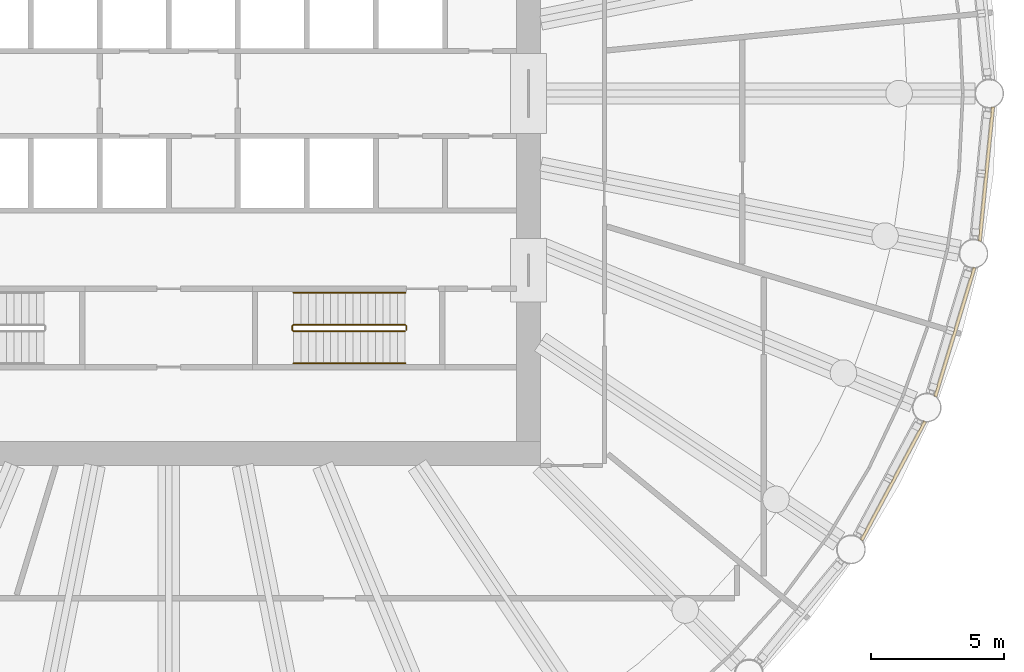
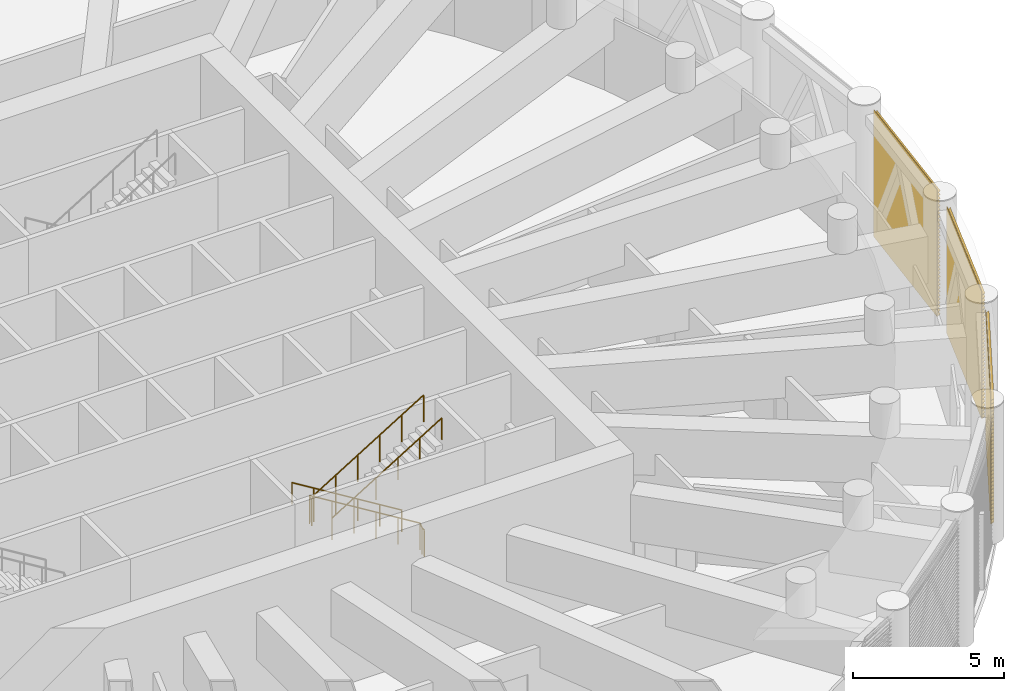
# One storey, part 19 of 23: 3 railings, 3 shading devices, 3 elements without a shape of their own.
"""IFC4 building model written with IfcOpenShell, lengths in metres."""

from ifc_helpers import new_model, si_unit, direction, frame, origin, origin_2d, place, context, subcontext, project, spatial, polyline, circle, outline, extrude, material, material_profile, profile_set, type_object, element, aggregate, save


model = new_model("IFC4")

# Units and contexts
model_context = context("Model", 3, precision=1e-05, world=origin(), true_north=direction((0.0, 1.0)))
body_context = subcontext(model_context, "Body", "Model", "MODEL_VIEW")
ifc_project = project(units=[si_unit("LENGTHUNIT", "METRE"), si_unit("AREAUNIT", "SQUARE_METRE"), si_unit("VOLUMEUNIT", "CUBIC_METRE"), si_unit("PLANEANGLEUNIT", "RADIAN"), si_unit("MASSUNIT", "GRAM", prefix="KILO")], contexts=[model_context])

# Site, building, storey
site_placement = place(None, origin())
site = spatial("IfcSite", under=ifc_project, at=site_placement, CompositionType="ELEMENT")
building_placement = place(site_placement, origin())
building = spatial("IfcBuilding", under=site, at=building_placement, Name="Corvane Civic Tower", CompositionType="ELEMENT")
storey_placement = place(building_placement, frame((0.0, 0.0, 196.0)))
storey = spatial("IfcBuildingStorey", under=building, at=storey_placement, Name="L46", CompositionType="ELEMENT", Elevation=196.0)

# Railings
ifc_material_1 = material(Name="Steel ASTM A572 Gr 50", Category="steel")
railing_type_1 = type_object("IfcRailingType", Name="ST-GUARD-1100", PredefinedType="GUARDRAIL", material=ifc_material_1)
railing_1_placement = place(storey_placement, frame((8.949951171875, -8.89990234375, 0.0)))
element("IfcRailing", 1, at=railing_1_placement, inside=storey, type_object=railing_type_1, Name="L46 ST2 stair guard 1", PredefinedType="GUARDRAIL", context=body_context, shape_type="SweptSolid", body=[
    extrude(circle(Radius=0.02392578125, at=origin_2d()), frame((0.0, 0.0, 1.076171875), z_axis=(0.0, 1.0, 0.0), x_axis=(-1.0, 0.0, 0.0)), (0.0, 0.0, 1.0), 0.14990234375),
    extrude(circle(Radius=0.02392578125, at=origin_2d()), frame((0.0, 0.14990234375, 1.076171875), z_axis=(-0.269255725606, 0.269255725606, 0.92466356501), x_axis=(-0.707106781187, -0.707106781187, 0.0)), (0.0, 0.0, 1.0), 0.185791015625),
    extrude(circle(Radius=0.02392578125, at=origin_2d()), frame((-0.050048828125, 0.199951171875, 1.248046875), z_axis=(-0.852242915053, 0.0, 0.523146264196), x_axis=(0.0, -1.0, 0.0)), (0.0, 0.0, 1.0), 4.92822265625),
    extrude(circle(Radius=0.02392578125, at=origin_2d()), frame((-4.25, 0.199951171875, 3.826171875), z_axis=(-0.707106781187, -0.707106781187, 0.0), x_axis=(0.707106781187, -0.707106781187, 0.0)), (0.0, 0.0, 1.0), 0.07080078125),
    extrude(circle(Radius=0.02392578125, at=origin_2d()), frame((-4.300048828125, 0.14990234375, 3.826171875), z_axis=(0.0, -1.0, 0.0), x_axis=(1.0, 0.0, 0.0)), (0.0, 0.0, 1.0), 0.14990234375),
    extrude(circle(Radius=0.02392578125, at=origin_2d()), frame((-4.300048828125, 0.0, 3.826171875), z_axis=(0.269255725606, -0.269255725606, 0.92466356501), x_axis=(0.707106781187, 0.707106781187, 0.0)), (0.0, 0.0, 1.0), 0.185791015625),
    extrude(circle(Radius=0.02392578125, at=origin_2d()), frame((-4.25, -0.050048828125, 3.998046875), z_axis=(0.852242915053, 0.0, 0.523146264196), x_axis=(0.0, 1.0, 0.0)), (0.0, 0.0, 1.0), 4.92822265625),
    extrude(circle(Radius=0.02099609375, at=origin_2d()), origin(), (0.0, 0.0, 1.0), 1.052001953125),
    extrude(circle(Radius=0.02099609375, at=origin_2d()), frame((0.0, 0.14990234375, 0.0)), (0.0, 0.0, 1.0), 1.052001953125),
    extrude(circle(Radius=0.02099609375, at=origin_2d()), frame((-0.050048828125, 0.199951171875, 0.171875)), (0.0, 0.0, 1.0), 1.052001953125),
    extrude(circle(Radius=0.02099609375, at=origin_2d()), frame((-0.89013671875, 0.199951171875, 0.6875)), (0.0, 0.0, 1.0), 1.052001953125),
    extrude(circle(Radius=0.02099609375, at=origin_2d()), frame((-1.72998046875, 0.199951171875, 1.203125)), (0.0, 0.0, 1.0), 1.052001953125),
    extrude(circle(Radius=0.02099609375, at=origin_2d()), frame((-2.570068359375, 0.199951171875, 1.71875)), (0.0, 0.0, 1.0), 1.052001953125),
    extrude(circle(Radius=0.02099609375, at=origin_2d()), frame((-3.409912109375, 0.199951171875, 2.234375)), (0.0, 0.0, 1.0), 1.052001953125),
    extrude(circle(Radius=0.02099609375, at=origin_2d()), frame((-4.25, 0.199951171875, 2.75)), (0.0, 0.0, 1.0), 1.052001953125),
    extrude(circle(Radius=0.02099609375, at=origin_2d()), frame((-4.300048828125, 0.14990234375, 2.75)), (0.0, 0.0, 1.0), 1.052001953125),
    extrude(circle(Radius=0.02099609375, at=origin_2d()), frame((-4.300048828125, 0.0, 2.75)), (0.0, 0.0, 1.0), 1.052001953125),
    extrude(circle(Radius=0.02099609375, at=origin_2d()), frame((-4.25, -0.050048828125, 2.921875)), (0.0, 0.0, 1.0), 1.052001953125),
    extrude(circle(Radius=0.02099609375, at=origin_2d()), frame((-3.409912109375, -0.050048828125, 3.4375)), (0.0, 0.0, 1.0), 1.052001953125),
    extrude(circle(Radius=0.02099609375, at=origin_2d()), frame((-2.570068359375, -0.050048828125, 3.953125)), (0.0, 0.0, 1.0), 1.052001953125),
    extrude(circle(Radius=0.02099609375, at=origin_2d()), frame((-1.72998046875, -0.050048828125, 4.46875)), (0.0, 0.0, 1.0), 1.052001953125),
    extrude(circle(Radius=0.02099609375, at=origin_2d()), frame((-0.89013671875, -0.050048828125, 4.984375)), (0.0, 0.0, 1.0), 1.052001953125),
    extrude(circle(Radius=0.02099609375, at=origin_2d()), frame((-0.050048828125, -0.050048828125, 5.5)), (0.0, 0.0, 1.0), 1.052001953125),
])
ifc_material_2 = material(Name="Steel ASTM A572 Gr 50", Category="steel")
railing_type_2 = type_object("IfcRailingType", Name="ST-HANDRAIL-900", PredefinedType="HANDRAIL", material=ifc_material_2)
railing_2_placement = place(storey_placement, frame((8.89990234375, -7.5, 0.171875)))
element("IfcRailing", 2, at=railing_2_placement, inside=storey, type_object=railing_type_2, Name="L46 ST2 stair handrail 1", PredefinedType="HANDRAIL", context=body_context, shape_type="SweptSolid", body=[
    extrude(circle(Radius=0.02392578125, at=origin_2d()), frame((0.0, 0.0, 0.8759765625), z_axis=(-0.852242915053, 0.0, 0.523146264196), x_axis=(0.0, -1.0, 0.0)), (0.0, 0.0, 1.0), 4.92822265625),
    extrude(circle(Radius=0.02099609375, at=origin_2d()), origin(), (0.0, 0.0, 1.0), 0.851806640625),
    extrude(circle(Radius=0.02099609375, at=origin_2d()), frame((-0.840087890625, 0.0, 0.515625)), (0.0, 0.0, 1.0), 0.851806640625),
    extrude(circle(Radius=0.02099609375, at=origin_2d()), frame((-1.679931640625, 0.0, 1.03125)), (0.0, 0.0, 1.0), 0.851806640625),
    extrude(circle(Radius=0.02099609375, at=origin_2d()), frame((-2.52001953125, 0.0, 1.546875)), (0.0, 0.0, 1.0), 0.851806640625),
    extrude(circle(Radius=0.02099609375, at=origin_2d()), frame((-3.35986328125, 0.0, 2.0625)), (0.0, 0.0, 1.0), 0.851806640625),
    extrude(circle(Radius=0.02099609375, at=origin_2d()), frame((-4.199951171875, 0.0, 2.578125)), (0.0, 0.0, 1.0), 0.851806640625),
])
railing_3_placement = place(storey_placement, frame((4.699951171875, -10.14990234375, 2.921875)))
element("IfcRailing", 3, at=railing_3_placement, inside=storey, type_object=railing_type_2, Name="L46 ST2 stair handrail 2", PredefinedType="HANDRAIL", context=body_context, shape_type="SweptSolid", body=[
    extrude(circle(Radius=0.02392578125, at=origin_2d()), frame((0.0, 0.0, 0.8759765625), z_axis=(0.852242915053, 0.0, 0.523146264196), x_axis=(0.0, 1.0, 0.0)), (0.0, 0.0, 1.0), 4.92822265625),
    extrude(circle(Radius=0.02099609375, at=origin_2d()), origin(), (0.0, 0.0, 1.0), 0.851806640625),
    extrude(circle(Radius=0.02099609375, at=origin_2d()), frame((0.840087890625, 0.0, 0.515625)), (0.0, 0.0, 1.0), 0.851806640625),
    extrude(circle(Radius=0.02099609375, at=origin_2d()), frame((1.679931640625, 0.0, 1.03125)), (0.0, 0.0, 1.0), 0.851806640625),
    extrude(circle(Radius=0.02099609375, at=origin_2d()), frame((2.52001953125, 0.0, 1.546875)), (0.0, 0.0, 1.0), 0.851806640625),
    extrude(circle(Radius=0.02099609375, at=origin_2d()), frame((3.35986328125, 0.0, 2.0625)), (0.0, 0.0, 1.0), 0.851806640625),
    extrude(circle(Radius=0.02099609375, at=origin_2d()), frame((4.199951171875, 0.0, 2.578125)), (0.0, 0.0, 1.0), 0.851806640625),
])

# Curtain wall, shading device
ifc_material_3 = material(Name="Anodised aluminium bronze", Category="aluminium")
curtain_wall_type = type_object("IfcCurtainWallType", Name="TOWER CW-LV LOUVRE SCREEN WALL", PredefinedType="NOTDEFINED", material=ifc_material_3)
curtain_wall_1_placement = place(storey_placement, origin())
curtain_wall_1 = element("IfcCurtainWall", 4, at=curtain_wall_1_placement, inside=storey, type_object=curtain_wall_type, Name="Louvre screen wall CW-LV L46 bay 09", PredefinedType="NOTDEFINED")
ifc_material_4 = material(Name="Anodised aluminium bronze", Category="aluminium")
ifc_material_profile = material_profile(ifc_material_4, outline(polyline([(-0.06005859375, -2.56494140625), (-0.0400390625, -2.56494140625), (0.06005859375, -2.492919921875), (0.06005859375, -2.472900390625), (-0.0400390625, -2.544921875), (-0.0400390625, -2.4140625), (0.06005859375, -2.342041015625), (0.06005859375, -2.322021484375), (-0.0400390625, -2.39404296875), (-0.0400390625, -2.26318359375), (0.06005859375, -2.191162109375), (0.06005859375, -2.171142578125), (-0.0400390625, -2.2431640625), (-0.0400390625, -2.1123046875), (0.06005859375, -2.040283203125), (0.06005859375, -2.0205078125), (-0.0400390625, -2.09228515625), (-0.0400390625, -1.96142578125), (0.06005859375, -1.889404296875), (0.06005859375, -1.869384765625), (-0.0400390625, -1.94140625), (-0.0400390625, -1.810546875), (0.06005859375, -1.738525390625), (0.06005859375, -1.718505859375), (-0.0400390625, -1.79052734375), (-0.0400390625, -1.65966796875), (0.06005859375, -1.587646484375), (0.06005859375, -1.567626953125), (-0.0400390625, -1.6396484375), (-0.0400390625, -1.5087890625), (0.06005859375, -1.436767578125), (0.06005859375, -1.416748046875), (-0.0400390625, -1.48876953125), (-0.0400390625, -1.35791015625), (0.06005859375, -1.285888671875), (0.06005859375, -1.265869140625), (-0.0400390625, -1.337890625), (-0.0400390625, -1.20703125), (0.06005859375, -1.135009765625), (0.06005859375, -1.114990234375), (-0.0400390625, -1.18701171875), (-0.0400390625, -1.05615234375), (0.06005859375, -0.984130859375), (0.06005859375, -0.964111328125), (-0.0400390625, -1.0361328125), (-0.0400390625, -0.9052734375), (0.06005859375, -0.833251953125), (0.06005859375, -0.813232421875), (-0.0400390625, -0.88525390625), (-0.0400390625, -0.75439453125), (0.06005859375, -0.682373046875), (0.06005859375, -0.662353515625), (-0.0400390625, -0.734375), (-0.0400390625, -0.603515625), (0.06005859375, -0.531494140625), (0.06005859375, -0.511474609375), (-0.0400390625, -0.58349609375), (-0.0400390625, -0.45263671875), (0.06005859375, -0.380615234375), (0.06005859375, -0.360595703125), (-0.0400390625, -0.4326171875), (-0.0400390625, -0.3017578125), (0.06005859375, -0.229736328125), (0.06005859375, -0.209716796875), (-0.0400390625, -0.28173828125), (-0.0400390625, -0.15087890625), (0.06005859375, -0.078857421875), (0.06005859375, -0.058837890625), (-0.0400390625, -0.130859375), (-0.0400390625, 0.0), (0.06005859375, 0.072021484375), (0.06005859375, 0.092041015625), (-0.0400390625, 0.02001953125), (-0.0400390625, 0.15087890625), (0.06005859375, 0.222900390625), (0.06005859375, 0.242919921875), (-0.0400390625, 0.1708984375), (-0.0400390625, 0.3017578125), (0.06005859375, 0.373779296875), (0.06005859375, 0.393798828125), (-0.0400390625, 0.32177734375), (-0.0400390625, 0.45263671875), (0.06005859375, 0.524658203125), (0.06005859375, 0.544677734375), (-0.0400390625, 0.47265625), (-0.0400390625, 0.603515625), (0.06005859375, 0.675537109375), (0.06005859375, 0.695556640625), (-0.0400390625, 0.62353515625), (-0.0400390625, 0.75439453125), (0.06005859375, 0.826416015625), (0.06005859375, 0.846435546875), (-0.0400390625, 0.7744140625), (-0.0400390625, 0.9052734375), (0.06005859375, 0.977294921875), (0.06005859375, 0.997314453125), (-0.0400390625, 0.92529296875), (-0.0400390625, 1.05615234375), (0.06005859375, 1.128173828125), (0.06005859375, 1.148193359375), (-0.0400390625, 1.076171875), (-0.0400390625, 1.20703125), (0.06005859375, 1.279052734375), (0.06005859375, 1.299072265625), (-0.0400390625, 1.22705078125), (-0.0400390625, 1.35791015625), (0.06005859375, 1.429931640625), (0.06005859375, 1.449951171875), (-0.0400390625, 1.3779296875), (-0.0400390625, 1.5087890625), (0.06005859375, 1.580810546875), (0.06005859375, 1.600830078125), (-0.0400390625, 1.52880859375), (-0.0400390625, 1.65966796875), (0.06005859375, 1.731689453125), (0.06005859375, 1.751708984375), (-0.0400390625, 1.6796875), (-0.0400390625, 1.810546875), (0.06005859375, 1.882568359375), (0.06005859375, 1.902587890625), (-0.0400390625, 1.83056640625), (-0.0400390625, 1.96142578125), (0.06005859375, 2.033447265625), (0.06005859375, 2.053466796875), (-0.0400390625, 1.9814453125), (-0.0400390625, 2.1123046875), (0.06005859375, 2.184326171875), (0.06005859375, 2.204345703125), (-0.0400390625, 2.13232421875), (-0.0400390625, 2.26318359375), (0.06005859375, 2.335205078125), (0.06005859375, 2.355224609375), (-0.0400390625, 2.283203125), (-0.0400390625, 2.4140625), (0.06005859375, 2.486083984375), (0.06005859375, 2.506103515625), (-0.0400390625, 2.43408203125), (-0.0400390625, 2.56494140625), (-0.06005859375, 2.56494140625), (-0.06005859375, -2.56494140625)])), Name="TOWER LOUVRE BANK 5130 BRONZE")
ifc_profile_set = profile_set([ifc_material_profile], Name="Anodised aluminium bronze")
shading_device_type = type_object("IfcShadingDeviceType", Name="TOWER LOUVRE BANK 5130 BRONZE", PredefinedType="USERDEFINED", material=ifc_profile_set)
shading_device_1_placement = place(storey_placement, frame((31.0302734375, -0.505126953125, 2.68505859375), z_axis=(-0.097989755963, -0.995187423416, 0.0), x_axis=(0.995187423416, -0.097989755963, 0.0)))
shading_device_1 = element("IfcShadingDevice", 5, at=shading_device_1_placement, type_object=shading_device_type, Name="Louvre bank L46 09.1", ObjectType="LOUVRE", PredefinedType="USERDEFINED", context=body_context, shape_type="SweptSolid", body=[
    extrude(outline(polyline([(-0.06005859375, -2.56494140625), (-0.0400390625, -2.56494140625), (0.06005859375, -2.492919921875), (0.06005859375, -2.472900390625), (-0.0400390625, -2.544921875), (-0.0400390625, -2.4140625), (0.06005859375, -2.342041015625), (0.06005859375, -2.322021484375), (-0.0400390625, -2.39404296875), (-0.0400390625, -2.26318359375), (0.06005859375, -2.191162109375), (0.06005859375, -2.171142578125), (-0.0400390625, -2.2431640625), (-0.0400390625, -2.1123046875), (0.06005859375, -2.040283203125), (0.06005859375, -2.0205078125), (-0.0400390625, -2.09228515625), (-0.0400390625, -1.96142578125), (0.06005859375, -1.889404296875), (0.06005859375, -1.869384765625), (-0.0400390625, -1.94140625), (-0.0400390625, -1.810546875), (0.06005859375, -1.738525390625), (0.06005859375, -1.718505859375), (-0.0400390625, -1.79052734375), (-0.0400390625, -1.65966796875), (0.06005859375, -1.587646484375), (0.06005859375, -1.567626953125), (-0.0400390625, -1.6396484375), (-0.0400390625, -1.5087890625), (0.06005859375, -1.436767578125), (0.06005859375, -1.416748046875), (-0.0400390625, -1.48876953125), (-0.0400390625, -1.35791015625), (0.06005859375, -1.285888671875), (0.06005859375, -1.265869140625), (-0.0400390625, -1.337890625), (-0.0400390625, -1.20703125), (0.06005859375, -1.135009765625), (0.06005859375, -1.114990234375), (-0.0400390625, -1.18701171875), (-0.0400390625, -1.05615234375), (0.06005859375, -0.984130859375), (0.06005859375, -0.964111328125), (-0.0400390625, -1.0361328125), (-0.0400390625, -0.9052734375), (0.06005859375, -0.833251953125), (0.06005859375, -0.813232421875), (-0.0400390625, -0.88525390625), (-0.0400390625, -0.75439453125), (0.06005859375, -0.682373046875), (0.06005859375, -0.662353515625), (-0.0400390625, -0.734375), (-0.0400390625, -0.603515625), (0.06005859375, -0.531494140625), (0.06005859375, -0.511474609375), (-0.0400390625, -0.58349609375), (-0.0400390625, -0.45263671875), (0.06005859375, -0.380615234375), (0.06005859375, -0.360595703125), (-0.0400390625, -0.4326171875), (-0.0400390625, -0.3017578125), (0.06005859375, -0.229736328125), (0.06005859375, -0.209716796875), (-0.0400390625, -0.28173828125), (-0.0400390625, -0.15087890625), (0.06005859375, -0.078857421875), (0.06005859375, -0.058837890625), (-0.0400390625, -0.130859375), (-0.0400390625, 0.0), (0.06005859375, 0.072021484375), (0.06005859375, 0.092041015625), (-0.0400390625, 0.02001953125), (-0.0400390625, 0.15087890625), (0.06005859375, 0.222900390625), (0.06005859375, 0.242919921875), (-0.0400390625, 0.1708984375), (-0.0400390625, 0.3017578125), (0.06005859375, 0.373779296875), (0.06005859375, 0.393798828125), (-0.0400390625, 0.32177734375), (-0.0400390625, 0.45263671875), (0.06005859375, 0.524658203125), (0.06005859375, 0.544677734375), (-0.0400390625, 0.47265625), (-0.0400390625, 0.603515625), (0.06005859375, 0.675537109375), (0.06005859375, 0.695556640625), (-0.0400390625, 0.62353515625), (-0.0400390625, 0.75439453125), (0.06005859375, 0.826416015625), (0.06005859375, 0.846435546875), (-0.0400390625, 0.7744140625), (-0.0400390625, 0.9052734375), (0.06005859375, 0.977294921875), (0.06005859375, 0.997314453125), (-0.0400390625, 0.92529296875), (-0.0400390625, 1.05615234375), (0.06005859375, 1.128173828125), (0.06005859375, 1.148193359375), (-0.0400390625, 1.076171875), (-0.0400390625, 1.20703125), (0.06005859375, 1.279052734375), (0.06005859375, 1.299072265625), (-0.0400390625, 1.22705078125), (-0.0400390625, 1.35791015625), (0.06005859375, 1.429931640625), (0.06005859375, 1.449951171875), (-0.0400390625, 1.3779296875), (-0.0400390625, 1.5087890625), (0.06005859375, 1.580810546875), (0.06005859375, 1.600830078125), (-0.0400390625, 1.52880859375), (-0.0400390625, 1.65966796875), (0.06005859375, 1.731689453125), (0.06005859375, 1.751708984375), (-0.0400390625, 1.6796875), (-0.0400390625, 1.810546875), (0.06005859375, 1.882568359375), (0.06005859375, 1.902587890625), (-0.0400390625, 1.83056640625), (-0.0400390625, 1.96142578125), (0.06005859375, 2.033447265625), (0.06005859375, 2.053466796875), (-0.0400390625, 1.9814453125), (-0.0400390625, 2.1123046875), (0.06005859375, 2.184326171875), (0.06005859375, 2.204345703125), (-0.0400390625, 2.13232421875), (-0.0400390625, 2.26318359375), (0.06005859375, 2.335205078125), (0.06005859375, 2.355224609375), (-0.0400390625, 2.283203125), (-0.0400390625, 2.4140625), (0.06005859375, 2.486083984375), (0.06005859375, 2.506103515625), (-0.0400390625, 2.43408203125), (-0.0400390625, 2.56494140625), (-0.06005859375, 2.56494140625), (-0.06005859375, -2.56494140625)])), origin(), (0.0, 0.0, 1.0), 5.07763671875),
])
aggregate(curtain_wall_1, [shading_device_1])

curtain_wall_2_placement = place(storey_placement, origin())
curtain_wall_2 = element("IfcCurtainWall", 6, at=curtain_wall_2_placement, inside=storey, type_object=curtain_wall_type, Name="Louvre screen wall CW-LV L46 bay 10", PredefinedType="NOTDEFINED")
shading_device_2_placement = place(storey_placement, frame((30.33544921875, -6.54931640625, 2.68505859375), z_axis=(-0.290288977061, -0.956939031389, 0.0), x_axis=(0.956939031389, -0.290288977061, 0.0)))
shading_device_2 = element("IfcShadingDevice", 7, at=shading_device_2_placement, type_object=shading_device_type, Name="Louvre bank L46 10.1", ObjectType="LOUVRE", PredefinedType="USERDEFINED", context=body_context, shape_type="SweptSolid", body=[
    extrude(outline(polyline([(-0.06005859375, -2.56494140625), (-0.0400390625, -2.56494140625), (0.06005859375, -2.492919921875), (0.06005859375, -2.472900390625), (-0.0400390625, -2.544921875), (-0.0400390625, -2.4140625), (0.06005859375, -2.342041015625), (0.06005859375, -2.322021484375), (-0.0400390625, -2.39404296875), (-0.0400390625, -2.26318359375), (0.06005859375, -2.191162109375), (0.06005859375, -2.171142578125), (-0.0400390625, -2.2431640625), (-0.0400390625, -2.1123046875), (0.06005859375, -2.040283203125), (0.06005859375, -2.0205078125), (-0.0400390625, -2.09228515625), (-0.0400390625, -1.96142578125), (0.06005859375, -1.889404296875), (0.06005859375, -1.869384765625), (-0.0400390625, -1.94140625), (-0.0400390625, -1.810546875), (0.06005859375, -1.738525390625), (0.06005859375, -1.718505859375), (-0.0400390625, -1.79052734375), (-0.0400390625, -1.65966796875), (0.06005859375, -1.587646484375), (0.06005859375, -1.567626953125), (-0.0400390625, -1.6396484375), (-0.0400390625, -1.5087890625), (0.06005859375, -1.436767578125), (0.06005859375, -1.416748046875), (-0.0400390625, -1.48876953125), (-0.0400390625, -1.35791015625), (0.06005859375, -1.285888671875), (0.06005859375, -1.265869140625), (-0.0400390625, -1.337890625), (-0.0400390625, -1.20703125), (0.06005859375, -1.135009765625), (0.06005859375, -1.114990234375), (-0.0400390625, -1.18701171875), (-0.0400390625, -1.05615234375), (0.06005859375, -0.984130859375), (0.06005859375, -0.964111328125), (-0.0400390625, -1.0361328125), (-0.0400390625, -0.9052734375), (0.06005859375, -0.833251953125), (0.06005859375, -0.813232421875), (-0.0400390625, -0.88525390625), (-0.0400390625, -0.75439453125), (0.06005859375, -0.682373046875), (0.06005859375, -0.662353515625), (-0.0400390625, -0.734375), (-0.0400390625, -0.603515625), (0.06005859375, -0.531494140625), (0.06005859375, -0.511474609375), (-0.0400390625, -0.58349609375), (-0.0400390625, -0.45263671875), (0.06005859375, -0.380615234375), (0.06005859375, -0.360595703125), (-0.0400390625, -0.4326171875), (-0.0400390625, -0.3017578125), (0.06005859375, -0.229736328125), (0.06005859375, -0.209716796875), (-0.0400390625, -0.28173828125), (-0.0400390625, -0.15087890625), (0.06005859375, -0.078857421875), (0.06005859375, -0.058837890625), (-0.0400390625, -0.130859375), (-0.0400390625, 0.0), (0.06005859375, 0.072021484375), (0.06005859375, 0.092041015625), (-0.0400390625, 0.02001953125), (-0.0400390625, 0.15087890625), (0.06005859375, 0.222900390625), (0.06005859375, 0.242919921875), (-0.0400390625, 0.1708984375), (-0.0400390625, 0.3017578125), (0.06005859375, 0.373779296875), (0.06005859375, 0.393798828125), (-0.0400390625, 0.32177734375), (-0.0400390625, 0.45263671875), (0.06005859375, 0.524658203125), (0.06005859375, 0.544677734375), (-0.0400390625, 0.47265625), (-0.0400390625, 0.603515625), (0.06005859375, 0.675537109375), (0.06005859375, 0.695556640625), (-0.0400390625, 0.62353515625), (-0.0400390625, 0.75439453125), (0.06005859375, 0.826416015625), (0.06005859375, 0.846435546875), (-0.0400390625, 0.7744140625), (-0.0400390625, 0.9052734375), (0.06005859375, 0.977294921875), (0.06005859375, 0.997314453125), (-0.0400390625, 0.92529296875), (-0.0400390625, 1.05615234375), (0.06005859375, 1.128173828125), (0.06005859375, 1.148193359375), (-0.0400390625, 1.076171875), (-0.0400390625, 1.20703125), (0.06005859375, 1.279052734375), (0.06005859375, 1.299072265625), (-0.0400390625, 1.22705078125), (-0.0400390625, 1.35791015625), (0.06005859375, 1.429931640625), (0.06005859375, 1.449951171875), (-0.0400390625, 1.3779296875), (-0.0400390625, 1.5087890625), (0.06005859375, 1.580810546875), (0.06005859375, 1.600830078125), (-0.0400390625, 1.52880859375), (-0.0400390625, 1.65966796875), (0.06005859375, 1.731689453125), (0.06005859375, 1.751708984375), (-0.0400390625, 1.6796875), (-0.0400390625, 1.810546875), (0.06005859375, 1.882568359375), (0.06005859375, 1.902587890625), (-0.0400390625, 1.83056640625), (-0.0400390625, 1.96142578125), (0.06005859375, 2.033447265625), (0.06005859375, 2.053466796875), (-0.0400390625, 1.9814453125), (-0.0400390625, 2.1123046875), (0.06005859375, 2.184326171875), (0.06005859375, 2.204345703125), (-0.0400390625, 2.13232421875), (-0.0400390625, 2.26318359375), (0.06005859375, 2.335205078125), (0.06005859375, 2.355224609375), (-0.0400390625, 2.283203125), (-0.0400390625, 2.4140625), (0.06005859375, 2.486083984375), (0.06005859375, 2.506103515625), (-0.0400390625, 2.43408203125), (-0.0400390625, 2.56494140625), (-0.06005859375, 2.56494140625), (-0.06005859375, -2.56494140625)])), origin(), (0.0, 0.0, 1.0), 5.077392578125),
])
aggregate(curtain_wall_2, [shading_device_2])

curtain_wall_3_placement = place(storey_placement, origin())
curtain_wall_3 = element("IfcCurtainWall", 8, at=curtain_wall_3_placement, inside=storey, type_object=curtain_wall_type, Name="Louvre screen wall CW-LV L46 bay 11", PredefinedType="NOTDEFINED")
shading_device_3_placement = place(storey_placement, frame((28.474853515625, -12.341552734375, 2.68505859375), z_axis=(-0.471396615074, -0.881921329426, 0.0), x_axis=(0.881921329426, -0.471396615074, 0.0)))
shading_device_3 = element("IfcShadingDevice", 9, at=shading_device_3_placement, type_object=shading_device_type, Name="Louvre bank L46 11.1", ObjectType="LOUVRE", PredefinedType="USERDEFINED", context=body_context, shape_type="SweptSolid", body=[
    extrude(outline(polyline([(-0.06005859375, -2.56494140625), (-0.0400390625, -2.56494140625), (0.06005859375, -2.492919921875), (0.06005859375, -2.472900390625), (-0.0400390625, -2.544921875), (-0.0400390625, -2.4140625), (0.06005859375, -2.342041015625), (0.06005859375, -2.322021484375), (-0.0400390625, -2.39404296875), (-0.0400390625, -2.26318359375), (0.06005859375, -2.191162109375), (0.06005859375, -2.171142578125), (-0.0400390625, -2.2431640625), (-0.0400390625, -2.1123046875), (0.06005859375, -2.040283203125), (0.06005859375, -2.0205078125), (-0.0400390625, -2.09228515625), (-0.0400390625, -1.96142578125), (0.06005859375, -1.889404296875), (0.06005859375, -1.869384765625), (-0.0400390625, -1.94140625), (-0.0400390625, -1.810546875), (0.06005859375, -1.738525390625), (0.06005859375, -1.718505859375), (-0.0400390625, -1.79052734375), (-0.0400390625, -1.65966796875), (0.06005859375, -1.587646484375), (0.06005859375, -1.567626953125), (-0.0400390625, -1.6396484375), (-0.0400390625, -1.5087890625), (0.06005859375, -1.436767578125), (0.06005859375, -1.416748046875), (-0.0400390625, -1.48876953125), (-0.0400390625, -1.35791015625), (0.06005859375, -1.285888671875), (0.06005859375, -1.265869140625), (-0.0400390625, -1.337890625), (-0.0400390625, -1.20703125), (0.06005859375, -1.135009765625), (0.06005859375, -1.114990234375), (-0.0400390625, -1.18701171875), (-0.0400390625, -1.05615234375), (0.06005859375, -0.984130859375), (0.06005859375, -0.964111328125), (-0.0400390625, -1.0361328125), (-0.0400390625, -0.9052734375), (0.06005859375, -0.833251953125), (0.06005859375, -0.813232421875), (-0.0400390625, -0.88525390625), (-0.0400390625, -0.75439453125), (0.06005859375, -0.682373046875), (0.06005859375, -0.662353515625), (-0.0400390625, -0.734375), (-0.0400390625, -0.603515625), (0.06005859375, -0.531494140625), (0.06005859375, -0.511474609375), (-0.0400390625, -0.58349609375), (-0.0400390625, -0.45263671875), (0.06005859375, -0.380615234375), (0.06005859375, -0.360595703125), (-0.0400390625, -0.4326171875), (-0.0400390625, -0.3017578125), (0.06005859375, -0.229736328125), (0.06005859375, -0.209716796875), (-0.0400390625, -0.28173828125), (-0.0400390625, -0.15087890625), (0.06005859375, -0.078857421875), (0.06005859375, -0.058837890625), (-0.0400390625, -0.130859375), (-0.0400390625, 0.0), (0.06005859375, 0.072021484375), (0.06005859375, 0.092041015625), (-0.0400390625, 0.02001953125), (-0.0400390625, 0.15087890625), (0.06005859375, 0.222900390625), (0.06005859375, 0.242919921875), (-0.0400390625, 0.1708984375), (-0.0400390625, 0.3017578125), (0.06005859375, 0.373779296875), (0.06005859375, 0.393798828125), (-0.0400390625, 0.32177734375), (-0.0400390625, 0.45263671875), (0.06005859375, 0.524658203125), (0.06005859375, 0.544677734375), (-0.0400390625, 0.47265625), (-0.0400390625, 0.603515625), (0.06005859375, 0.675537109375), (0.06005859375, 0.695556640625), (-0.0400390625, 0.62353515625), (-0.0400390625, 0.75439453125), (0.06005859375, 0.826416015625), (0.06005859375, 0.846435546875), (-0.0400390625, 0.7744140625), (-0.0400390625, 0.9052734375), (0.06005859375, 0.977294921875), (0.06005859375, 0.997314453125), (-0.0400390625, 0.92529296875), (-0.0400390625, 1.05615234375), (0.06005859375, 1.128173828125), (0.06005859375, 1.148193359375), (-0.0400390625, 1.076171875), (-0.0400390625, 1.20703125), (0.06005859375, 1.279052734375), (0.06005859375, 1.299072265625), (-0.0400390625, 1.22705078125), (-0.0400390625, 1.35791015625), (0.06005859375, 1.429931640625), (0.06005859375, 1.449951171875), (-0.0400390625, 1.3779296875), (-0.0400390625, 1.5087890625), (0.06005859375, 1.580810546875), (0.06005859375, 1.600830078125), (-0.0400390625, 1.52880859375), (-0.0400390625, 1.65966796875), (0.06005859375, 1.731689453125), (0.06005859375, 1.751708984375), (-0.0400390625, 1.6796875), (-0.0400390625, 1.810546875), (0.06005859375, 1.882568359375), (0.06005859375, 1.902587890625), (-0.0400390625, 1.83056640625), (-0.0400390625, 1.96142578125), (0.06005859375, 2.033447265625), (0.06005859375, 2.053466796875), (-0.0400390625, 1.9814453125), (-0.0400390625, 2.1123046875), (0.06005859375, 2.184326171875), (0.06005859375, 2.204345703125), (-0.0400390625, 2.13232421875), (-0.0400390625, 2.26318359375), (0.06005859375, 2.335205078125), (0.06005859375, 2.355224609375), (-0.0400390625, 2.283203125), (-0.0400390625, 2.4140625), (0.06005859375, 2.486083984375), (0.06005859375, 2.506103515625), (-0.0400390625, 2.43408203125), (-0.0400390625, 2.56494140625), (-0.06005859375, 2.56494140625), (-0.06005859375, -2.56494140625)])), origin(), (0.0, 0.0, 1.0), 5.07763671875),
])
aggregate(curtain_wall_3, [shading_device_3])

save(model, "model.ifc")
